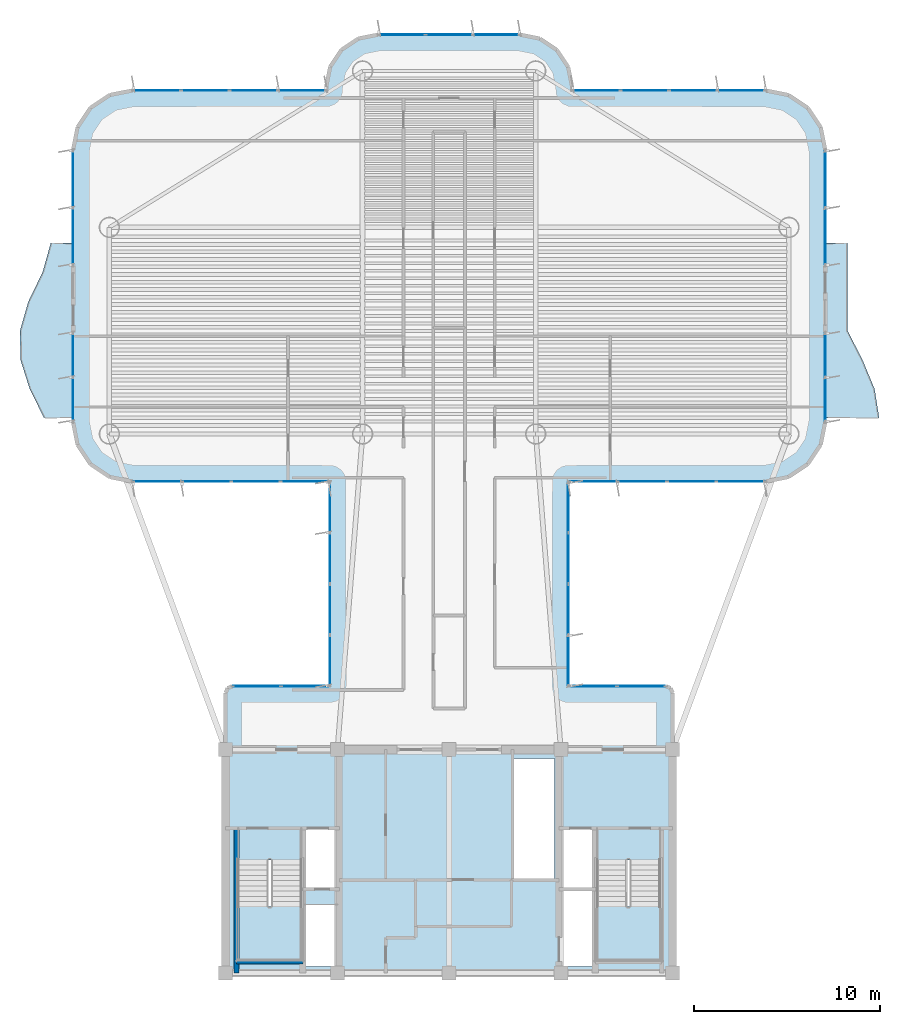
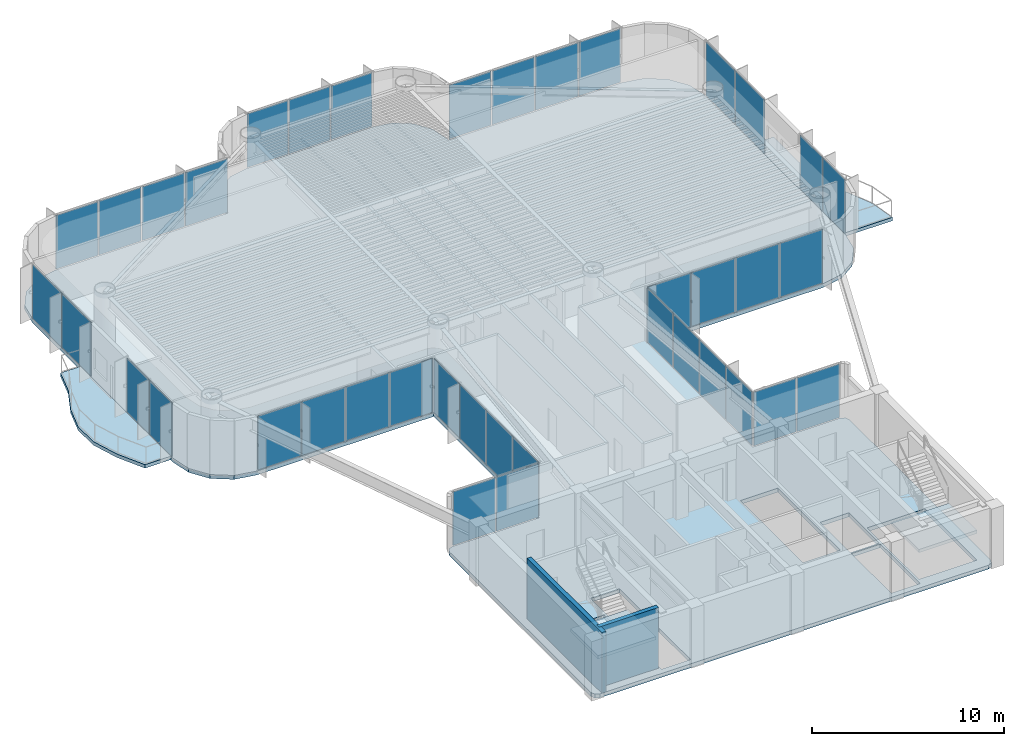
# One storey, part 8 of 14: 39 plates, 5 slabs, 2 walls, 15 elements without a shape of their own.
"""IFC4 building model written with IfcOpenShell, lengths in metres."""

from ifc_helpers import new_model, si_unit, direction, frame, frame_2d, origin, origin_2d, place, context, subcontext, project, spatial, polyline, rectangle, outline, extrude, source, transform, mapped, material, layer, layer_set, type_object, element, aggregate, save


model = new_model("IFC4")

# Units and contexts
model_context = context("Model", 3, precision=1e-05, world=origin(), true_north=direction((0.0, 1.0)))
body_context = subcontext(model_context, "Body", "Model", "MODEL_VIEW")
ifc_project = project(units=[si_unit("LENGTHUNIT", "METRE"), si_unit("AREAUNIT", "SQUARE_METRE"), si_unit("VOLUMEUNIT", "CUBIC_METRE"), si_unit("PLANEANGLEUNIT", "RADIAN"), si_unit("MASSUNIT", "GRAM", prefix="KILO")], contexts=[model_context])

# Site, building, storey
site_placement = place(None, origin())
site = spatial("IfcSite", under=ifc_project, at=site_placement, CompositionType="ELEMENT")
building_placement = place(site_placement, origin())
building = spatial("IfcBuilding", under=site, at=building_placement, Name="Brelvock Crest Care Tower", CompositionType="ELEMENT")
storey_placement = place(building_placement, frame((0.0, 0.0, 175.320068359375)))
storey = spatial("IfcBuildingStorey", under=building, at=storey_placement, Name="L44", CompositionType="ELEMENT", Elevation=175.320068359375)

# Slabs
ifc_material_1 = material(Name="Concrete N50 (50 MPa)", Category="concrete")
ifc_layer_1 = layer(ifc_material_1, 0.25, Name="SLB-FL3")
ifc_layer_set_1 = layer_set([ifc_layer_1], Name="Concrete N50 (50 MPa)")
slab_type_1 = type_object("IfcSlabType", Name="SLB-FL3", PredefinedType="FLOOR", material=ifc_layer_set_1)
slab_1_placement = place(storey_placement, frame((0.0, 0.0, -0.25)))
element("IfcSlab", 1, at=slab_1_placement, inside=storey, type_object=slab_type_1, Name="L44 Main Structural Slab", PredefinedType="FLOOR", context=body_context, shape_type="SweptSolid", body=[
    extrude(outline(polyline([(47.64990234375, 21.39990234375), (42.39990234375, 21.39990234375), (42.39990234375, 32.39990234375), (53.0, 32.39990234375), (54.224609375, 32.6435546875), (55.2626953125, 33.33740234375), (55.956298828125, 34.37548828125), (56.199951171875, 35.60009765625), (56.199951171875, 50.199951171875), (55.956298828125, 51.424560546875), (55.2626953125, 52.462646484375), (54.224609375, 53.156494140625), (53.0, 53.39990234375), (42.60009765625, 53.39990234375), (42.60009765625, 53.60009765625), (42.386962890625, 54.67138671875), (41.77978515625, 55.579833984375), (40.87158203125, 56.18701171875), (39.800048828125, 56.39990234375), (32.199951171875, 56.39990234375), (31.12841796875, 56.18701171875), (30.22021484375, 55.579833984375), (29.613037109375, 54.67138671875), (29.39990234375, 53.60009765625), (29.39990234375, 53.39990234375), (19.0, 53.39990234375), (17.775390625, 53.156494140625), (16.7373046875, 52.462646484375), (16.043701171875, 51.424560546875), (15.800048828125, 50.199951171875), (15.800048828125, 35.60009765625), (16.043701171875, 34.37548828125), (16.7373046875, 33.33740234375), (17.775390625, 32.6435546875), (19.0, 32.39990234375), (29.60009765625, 32.39990234375), (29.60009765625, 21.39990234375), (24.35009765625, 21.39990234375), (24.1025390625, 21.297607421875), (24.0, 21.050048828125), (24.0, 6.35009765625), (24.1025390625, 6.1025390625), (24.35009765625, 6.0), (47.64990234375, 6.0), (47.8974609375, 6.1025390625), (48.0, 6.35009765625), (48.0, 21.050048828125), (47.8974609375, 21.297607421875), (47.64990234375, 21.39990234375)]), holes=[polyline([(28.239990234375, 10.580078125), (29.97998046875, 10.580078125), (29.97998046875, 13.739990234375), (28.239990234375, 13.739990234375), (28.239990234375, 10.580078125)]), polyline([(42.02001953125, 10.580078125), (43.760009765625, 10.580078125), (43.760009765625, 13.739990234375), (42.02001953125, 13.739990234375), (42.02001953125, 10.580078125)]), polyline([(28.239990234375, 6.340087890625), (29.97998046875, 6.340087890625), (29.97998046875, 9.64990234375), (28.239990234375, 9.64990234375), (28.239990234375, 6.340087890625)]), polyline([(24.6298828125, 12.080078125), (24.6298828125, 6.699951171875), (28.110107421875, 6.699951171875), (28.110107421875, 12.080078125), (24.6298828125, 12.080078125)]), polyline([(43.889892578125, 12.080078125), (43.889892578125, 6.699951171875), (47.3701171875, 6.699951171875), (47.3701171875, 12.080078125), (43.889892578125, 12.080078125)]), polyline([(42.02001953125, 6.340087890625), (43.760009765625, 6.340087890625), (43.760009765625, 10.5), (42.02001953125, 10.5), (42.02001953125, 6.340087890625)]), polyline([(39.429931640625, 11.030029296875), (41.669921875, 11.030029296875), (41.669921875, 17.52001953125), (39.429931640625, 17.52001953125), (39.429931640625, 11.030029296875)])]), origin(), (0.0, 0.0, 1.0), 0.25),
])
ifc_layer_2 = layer(ifc_material_1, 0.219970703125, Name="SLB-WB1")
ifc_layer_set_2 = layer_set([ifc_layer_2], Name="Concrete N50 (50 MPa)")
slab_type_2 = type_object("IfcSlabType", Name="SLB-WB1", PredefinedType="FLOOR", material=ifc_layer_set_2)
slab_2_placement = place(storey_placement, frame((0.0, 0.0, -0.219970703125)))
element("IfcSlab", 2, at=slab_2_placement, inside=storey, type_object=slab_type_2, Name="L44 W Sinusoidal Wave Balcony Slab", PredefinedType="FLOOR", context=body_context, shape_type="SweptSolid", body=[
    extrude(outline(polyline([(15.800048828125, 45.199951171875), (14.60009765625, 45.199951171875), (14.16162109375, 43.63330078125), (13.400390625, 42.066650390625), (12.95068359375, 40.5), (12.977294921875, 38.933349609375), (13.470947265625, 37.36669921875), (14.25, 35.800048828125), (15.800048828125, 35.800048828125), (15.800048828125, 45.199951171875)])), origin(), (0.0, 0.0, 1.0), 0.219970703125),
])
slab_3_placement = place(storey_placement, frame((0.0, 0.0, -0.219970703125)))
element("IfcSlab", 3, at=slab_3_placement, inside=storey, type_object=slab_type_2, Name="L44 E Sinusoidal Wave Balcony Slab", PredefinedType="FLOOR", context=body_context, shape_type="SweptSolid", body=[
    extrude(outline(polyline([(56.199951171875, 35.800048828125), (59.10009765625, 35.800048828125), (58.8525390625, 37.36669921875), (58.20068359375, 38.933349609375), (57.39990234375, 40.5), (57.39990234375, 42.066650390625), (57.39990234375, 43.63330078125), (57.39990234375, 45.199951171875), (56.199951171875, 45.199951171875), (56.199951171875, 35.800048828125)])), origin(), (0.0, 0.0, 1.0), 0.219970703125),
])

# Stair, slab
ifc_material_2 = material(Name="Concrete N40 (40 MPa)", Category="concrete")
stair_type = type_object("IfcStairType", Name="ST-CORE1", PredefinedType="HALF_TURN_STAIR", material=ifc_material_2)
stair_1_placement = place(storey_placement, origin())
stair_1 = element("IfcStair", 4, at=stair_1_placement, inside=storey, type_object=stair_type, Name="L44 Fire-Isolated Core Stair ST-1", PredefinedType="HALF_TURN_STAIR")
ifc_layer_3 = layer(ifc_material_2, 0.199951171875, Name="STL-1")
ifc_layer_set_3 = layer_set([ifc_layer_3], Name="Concrete N40 (40 MPa)")
slab_type_3 = type_object("IfcSlabType", Name="STL-1", PredefinedType="LANDING", material=ifc_layer_set_3)
slab_4_placement = place(storey_placement, frame((0.0, 0.0, 1.68994140625)))
slab_4 = element("IfcSlab", 5, at=slab_4_placement, type_object=slab_type_3, Name="ST-1 landing 1", PredefinedType="LANDING", context=body_context, shape_type="SweptSolid", body=[
    extrude(outline(polyline([(24.6298828125, 9.56005859375), (24.6298828125, 6.699951171875), (28.110107421875, 6.699951171875), (28.110107421875, 9.56005859375), (24.6298828125, 9.56005859375)])), origin(), (0.0, 0.0, 1.0), 0.199951171875),
])
aggregate(stair_1, [slab_4])

stair_2_placement = place(storey_placement, origin())
stair_2 = element("IfcStair", 6, at=stair_2_placement, inside=storey, type_object=stair_type, Name="L44 Fire-Isolated Core Stair ST-2", PredefinedType="HALF_TURN_STAIR")
slab_5_placement = place(storey_placement, frame((0.0, 0.0, 1.68994140625)))
slab_5 = element("IfcSlab", 7, at=slab_5_placement, type_object=slab_type_3, Name="ST-2 landing 1", PredefinedType="LANDING", context=body_context, shape_type="SweptSolid", body=[
    extrude(outline(polyline([(43.889892578125, 9.56005859375), (43.889892578125, 6.699951171875), (47.3701171875, 6.699951171875), (47.3701171875, 9.56005859375), (43.889892578125, 9.56005859375)])), origin(), (0.0, 0.0, 1.0), 0.199951171875),
])
aggregate(stair_2, [slab_5])

# Curtain wall, plates
ifc_material_3 = material(Name="Dark Glass Double Glazed Low-E", Category="glass")
ifc_layer_4 = layer(ifc_material_3, 0.22509765625, Name="CWS-4")
ifc_layer_set_4 = layer_set([ifc_layer_4], Name="Dark Glass Double Glazed Low-E")
curtain_wall_type = type_object("IfcCurtainWallType", Name="CWS-4", PredefinedType="NOTDEFINED", material=ifc_layer_set_4)
curtain_wall_1_placement = place(storey_placement, origin())
curtain_wall_1 = element("IfcCurtainWall", 8, at=curtain_wall_1_placement, inside=storey, type_object=curtain_wall_type, Name="L44 Curtain Wall E10", PredefinedType="NOTDEFINED")
ifc_layer_5 = layer(ifc_material_3, 0.0380859375, Name="CWP-V2")
ifc_layer_set_5 = layer_set([ifc_layer_5], Name="Dark Glass Double Glazed Low-E")
plate_type = type_object("IfcPlateType", Name="CWP-V2", PredefinedType="CURTAIN_PANEL", material=ifc_layer_set_5)
shared_shape_1 = source(origin(), body_context, "Body", "SweptSolid", [
    extrude(rectangle(XDim=2.534912109375, YDim=0.035888671875, at=origin_2d()), origin(), (0.0, 0.0, 1.0), 3.409912109375),
])
plate_1_placement = place(storey_placement, frame((25.677490234375, 21.39990234375, 0.06005859375), z_axis=(0.0, 0.0, 1.0), x_axis=(1.0, 0.0, 0.0)))
plate_1 = element("IfcPlate", 9, at=plate_1_placement, type_object=plate_type, Name="CW-4 panel 1.1", PredefinedType="CURTAIN_PANEL", context=body_context, shape_type="MappedRepresentation", body=[
    mapped(shared_shape_1, transform((0.0, 0.0, 0.0), x_axis=(1.0, 0.0, 0.0), y_axis=(0.0, 1.0, 0.0), z_axis=(0.0, 0.0, 1.0), scale=1.0)),
])
plate_2_placement = place(storey_placement, frame((28.2724609375, 21.39990234375, 0.06005859375), z_axis=(0.0, 0.0, 1.0), x_axis=(1.0, 0.0, 0.0)))
plate_2 = element("IfcPlate", 10, at=plate_2_placement, type_object=plate_type, Name="CW-4 panel 2.1", PredefinedType="CURTAIN_PANEL", context=body_context, shape_type="MappedRepresentation", body=[
    mapped(shared_shape_1, transform((0.0, 0.0, 0.0), x_axis=(1.0, 0.0, 0.0), y_axis=(0.0, 1.0, 0.0), z_axis=(0.0, 0.0, 1.0), scale=1.0)),
])
aggregate(curtain_wall_1, [plate_1, plate_2])

curtain_wall_2_placement = place(storey_placement, origin())
curtain_wall_2 = element("IfcCurtainWall", 11, at=curtain_wall_2_placement, inside=storey, type_object=curtain_wall_type, Name="L44 Curtain Wall E46", PredefinedType="NOTDEFINED")
plate_3_placement = place(storey_placement, frame((43.7275390625, 21.39990234375, 0.06005859375), z_axis=(0.0, 0.0, 1.0), x_axis=(1.0, 0.0, 0.0)))
plate_3 = element("IfcPlate", 12, at=plate_3_placement, type_object=plate_type, Name="CW-4 panel 1.1", PredefinedType="CURTAIN_PANEL", context=body_context, shape_type="MappedRepresentation", body=[
    mapped(shared_shape_1, transform((0.0, 0.0, 0.0), x_axis=(1.0, 0.0, 0.0), y_axis=(0.0, 1.0, 0.0), z_axis=(0.0, 0.0, 1.0), scale=1.0)),
])
plate_4_placement = place(storey_placement, frame((46.322509765625, 21.39990234375, 0.06005859375), z_axis=(0.0, 0.0, 1.0), x_axis=(1.0, 0.0, 0.0)))
plate_4 = element("IfcPlate", 13, at=plate_4_placement, type_object=plate_type, Name="CW-4 panel 2.1", PredefinedType="CURTAIN_PANEL", context=body_context, shape_type="MappedRepresentation", body=[
    mapped(shared_shape_1, transform((0.0, 0.0, 0.0), x_axis=(1.0, 0.0, 0.0), y_axis=(0.0, 1.0, 0.0), z_axis=(0.0, 0.0, 1.0), scale=1.0)),
])
aggregate(curtain_wall_2, [plate_3, plate_4])

curtain_wall_3_placement = place(storey_placement, origin())
curtain_wall_3 = element("IfcCurtainWall", 14, at=curtain_wall_3_placement, inside=storey, type_object=curtain_wall_type, Name="L44 Curtain Wall E11", PredefinedType="NOTDEFINED")
shared_shape_2 = source(origin(), body_context, "Body", "SweptSolid", [
    extrude(rectangle(XDim=2.659912109375, YDim=0.035888671875, at=origin_2d()), origin(), (0.0, 0.0, 1.0), 3.409912109375),
])
plate_5_placement = place(storey_placement, frame((29.60009765625, 22.7900390625, 0.06005859375), z_axis=(0.0, 0.0, 1.0), x_axis=(0.0, 1.0, 0.0)))
plate_5 = element("IfcPlate", 15, at=plate_5_placement, type_object=plate_type, Name="CW-4 panel 1.1", PredefinedType="CURTAIN_PANEL", context=body_context, shape_type="MappedRepresentation", body=[
    mapped(shared_shape_2, transform((0.0, 0.0, 0.0), x_axis=(1.0, 0.0, 0.0), y_axis=(0.0, 1.0, 0.0), z_axis=(0.0, 0.0, 1.0), scale=1.0)),
])
plate_6_placement = place(storey_placement, frame((29.60009765625, 31.010009765625, 0.06005859375), z_axis=(0.0, 0.0, 1.0), x_axis=(0.0, 1.0, 0.0)))
plate_6 = element("IfcPlate", 16, at=plate_6_placement, type_object=plate_type, Name="CW-4 panel 4.1", PredefinedType="CURTAIN_PANEL", context=body_context, shape_type="MappedRepresentation", body=[
    mapped(shared_shape_2, transform((0.0, 0.0, 0.0), x_axis=(1.0, 0.0, 0.0), y_axis=(0.0, 1.0, 0.0), z_axis=(0.0, 0.0, 1.0), scale=1.0)),
])

curtain_wall_4_placement = place(storey_placement, origin())
curtain_wall_4 = element("IfcCurtainWall", 17, at=curtain_wall_4_placement, inside=storey, type_object=curtain_wall_type, Name="L44 Curtain Wall E45", PredefinedType="NOTDEFINED")
plate_7_placement = place(storey_placement, frame((42.39990234375, 31.010009765625, 0.06005859375), z_axis=(0.0, 0.0, 1.0), x_axis=(0.0, -1.0, 0.0)))
plate_7 = element("IfcPlate", 18, at=plate_7_placement, type_object=plate_type, Name="CW-4 panel 1.1", PredefinedType="CURTAIN_PANEL", context=body_context, shape_type="MappedRepresentation", body=[
    mapped(shared_shape_2, transform((0.0, 0.0, 0.0), x_axis=(1.0, 0.0, 0.0), y_axis=(0.0, 1.0, 0.0), z_axis=(0.0, 0.0, 1.0), scale=1.0)),
])
plate_8_placement = place(storey_placement, frame((42.39990234375, 22.7900390625, 0.06005859375), z_axis=(0.0, 0.0, 1.0), x_axis=(0.0, -1.0, 0.0)))
plate_8 = element("IfcPlate", 19, at=plate_8_placement, type_object=plate_type, Name="CW-4 panel 4.1", PredefinedType="CURTAIN_PANEL", context=body_context, shape_type="MappedRepresentation", body=[
    mapped(shared_shape_2, transform((0.0, 0.0, 0.0), x_axis=(1.0, 0.0, 0.0), y_axis=(0.0, 1.0, 0.0), z_axis=(0.0, 0.0, 1.0), scale=1.0)),
])

# Plate
shared_shape_3 = source(origin(), body_context, "Body", "SweptSolid", [
    extrude(rectangle(XDim=2.68994140625, YDim=0.035888671875, at=origin_2d()), origin(), (0.0, 0.0, 1.0), 3.409912109375),
])
plate_9_placement = place(storey_placement, frame((29.60009765625, 25.52490234375, 0.06005859375), z_axis=(0.0, 0.0, 1.0), x_axis=(0.0, 1.0, 0.0)))
plate_9 = element("IfcPlate", 20, at=plate_9_placement, type_object=plate_type, Name="CW-4 panel 2.1", PredefinedType="CURTAIN_PANEL", context=body_context, shape_type="MappedRepresentation", body=[
    mapped(shared_shape_3, transform((0.0, 0.0, 0.0), x_axis=(1.0, 0.0, 0.0), y_axis=(0.0, 1.0, 0.0), z_axis=(0.0, 0.0, 1.0), scale=1.0)),
])

plate_10_placement = place(storey_placement, frame((29.60009765625, 28.27490234375, 0.06005859375), z_axis=(0.0, 0.0, 1.0), x_axis=(0.0, 1.0, 0.0)))
plate_10 = element("IfcPlate", 21, at=plate_10_placement, type_object=plate_type, Name="CW-4 panel 3.1", PredefinedType="CURTAIN_PANEL", context=body_context, shape_type="MappedRepresentation", body=[
    mapped(shared_shape_3, transform((0.0, 0.0, 0.0), x_axis=(1.0, 0.0, 0.0), y_axis=(0.0, 1.0, 0.0), z_axis=(0.0, 0.0, 1.0), scale=1.0)),
])

aggregate(curtain_wall_3, [plate_5, plate_9, plate_10, plate_6])

plate_11_placement = place(storey_placement, frame((42.39990234375, 28.27490234375, 0.06005859375), z_axis=(0.0, 0.0, 1.0), x_axis=(0.0, -1.0, 0.0)))
plate_11 = element("IfcPlate", 22, at=plate_11_placement, type_object=plate_type, Name="CW-4 panel 2.1", PredefinedType="CURTAIN_PANEL", context=body_context, shape_type="MappedRepresentation", body=[
    mapped(shared_shape_3, transform((0.0, 0.0, 0.0), x_axis=(1.0, 0.0, 0.0), y_axis=(0.0, 1.0, 0.0), z_axis=(0.0, 0.0, 1.0), scale=1.0)),
])

plate_12_placement = place(storey_placement, frame((42.39990234375, 25.52490234375, 0.06005859375), z_axis=(0.0, 0.0, 1.0), x_axis=(0.0, -1.0, 0.0)))
plate_12 = element("IfcPlate", 23, at=plate_12_placement, type_object=plate_type, Name="CW-4 panel 3.1", PredefinedType="CURTAIN_PANEL", context=body_context, shape_type="MappedRepresentation", body=[
    mapped(shared_shape_3, transform((0.0, 0.0, 0.0), x_axis=(1.0, 0.0, 0.0), y_axis=(0.0, 1.0, 0.0), z_axis=(0.0, 0.0, 1.0), scale=1.0)),
])

aggregate(curtain_wall_4, [plate_7, plate_11, plate_12, plate_8])

# Curtain wall, plates
curtain_wall_5_placement = place(storey_placement, origin())
curtain_wall_5 = element("IfcCurtainWall", 24, at=curtain_wall_5_placement, inside=storey, type_object=curtain_wall_type, Name="L44 Curtain Wall E12", PredefinedType="NOTDEFINED")
shared_shape_4 = source(origin(), body_context, "Body", "SweptSolid", [
    extrude(rectangle(XDim=2.56005859375, YDim=0.035888671875, at=origin_2d()), origin(), (0.0, 0.0, 1.0), 3.409912109375),
])
plate_13_placement = place(storey_placement, frame((28.260009765625, 32.39990234375, 0.06005859375), z_axis=(0.0, 0.0, 1.0), x_axis=(-1.0, 0.0, 0.0)))
plate_13 = element("IfcPlate", 25, at=plate_13_placement, type_object=plate_type, Name="CW-4 panel 1.1", PredefinedType="CURTAIN_PANEL", context=body_context, shape_type="MappedRepresentation", body=[
    mapped(shared_shape_4, transform((0.0, 0.0, 0.0), x_axis=(1.0, 0.0, 0.0), y_axis=(0.0, 1.0, 0.0), z_axis=(0.0, 0.0, 1.0), scale=1.0)),
])
plate_14_placement = place(storey_placement, frame((20.340087890625, 32.39990234375, 0.06005859375), z_axis=(0.0, 0.0, 1.0), x_axis=(-1.0, 0.0, 0.0)))
plate_14 = element("IfcPlate", 26, at=plate_14_placement, type_object=plate_type, Name="CW-4 panel 4.1", PredefinedType="CURTAIN_PANEL", context=body_context, shape_type="MappedRepresentation", body=[
    mapped(shared_shape_4, transform((0.0, 0.0, 0.0), x_axis=(1.0, 0.0, 0.0), y_axis=(0.0, 1.0, 0.0), z_axis=(0.0, 0.0, 1.0), scale=1.0)),
])

curtain_wall_6_placement = place(storey_placement, origin())
curtain_wall_6 = element("IfcCurtainWall", 27, at=curtain_wall_6_placement, inside=storey, type_object=curtain_wall_type, Name="L44 Curtain Wall E44", PredefinedType="NOTDEFINED")
plate_15_placement = place(storey_placement, frame((51.659912109375, 32.39990234375, 0.06005859375), z_axis=(0.0, 0.0, 1.0), x_axis=(-1.0, 0.0, 0.0)))
plate_15 = element("IfcPlate", 28, at=plate_15_placement, type_object=plate_type, Name="CW-4 panel 1.1", PredefinedType="CURTAIN_PANEL", context=body_context, shape_type="MappedRepresentation", body=[
    mapped(shared_shape_4, transform((0.0, 0.0, 0.0), x_axis=(1.0, 0.0, 0.0), y_axis=(0.0, 1.0, 0.0), z_axis=(0.0, 0.0, 1.0), scale=1.0)),
])
plate_16_placement = place(storey_placement, frame((43.739990234375, 32.39990234375, 0.06005859375), z_axis=(0.0, 0.0, 1.0), x_axis=(-1.0, 0.0, 0.0)))
plate_16 = element("IfcPlate", 29, at=plate_16_placement, type_object=plate_type, Name="CW-4 panel 4.1", PredefinedType="CURTAIN_PANEL", context=body_context, shape_type="MappedRepresentation", body=[
    mapped(shared_shape_4, transform((0.0, 0.0, 0.0), x_axis=(1.0, 0.0, 0.0), y_axis=(0.0, 1.0, 0.0), z_axis=(0.0, 0.0, 1.0), scale=1.0)),
])

# Plate
shared_shape_5 = source(origin(), body_context, "Body", "SweptSolid", [
    extrude(rectangle(XDim=2.590087890625, YDim=0.035888671875, at=origin_2d()), origin(), (0.0, 0.0, 1.0), 3.409912109375),
])
plate_17_placement = place(storey_placement, frame((25.625, 32.39990234375, 0.06005859375), z_axis=(0.0, 0.0, 1.0), x_axis=(-1.0, 0.0, 0.0)))
plate_17 = element("IfcPlate", 30, at=plate_17_placement, type_object=plate_type, Name="CW-4 panel 2.1", PredefinedType="CURTAIN_PANEL", context=body_context, shape_type="MappedRepresentation", body=[
    mapped(shared_shape_5, transform((0.0, 0.0, 0.0), x_axis=(1.0, 0.0, 0.0), y_axis=(0.0, 1.0, 0.0), z_axis=(0.0, 0.0, 1.0), scale=1.0)),
])

plate_18_placement = place(storey_placement, frame((22.97509765625, 32.39990234375, 0.06005859375), z_axis=(0.0, 0.0, 1.0), x_axis=(-1.0, 0.0, 0.0)))
plate_18 = element("IfcPlate", 31, at=plate_18_placement, type_object=plate_type, Name="CW-4 panel 3.1", PredefinedType="CURTAIN_PANEL", context=body_context, shape_type="MappedRepresentation", body=[
    mapped(shared_shape_5, transform((0.0, 0.0, 0.0), x_axis=(1.0, 0.0, 0.0), y_axis=(0.0, 1.0, 0.0), z_axis=(0.0, 0.0, 1.0), scale=1.0)),
])

aggregate(curtain_wall_5, [plate_13, plate_17, plate_18, plate_14])

plate_19_placement = place(storey_placement, frame((49.02490234375, 32.39990234375, 0.06005859375), z_axis=(0.0, 0.0, 1.0), x_axis=(-1.0, 0.0, 0.0)))
plate_19 = element("IfcPlate", 32, at=plate_19_placement, type_object=plate_type, Name="CW-4 panel 2.1", PredefinedType="CURTAIN_PANEL", context=body_context, shape_type="MappedRepresentation", body=[
    mapped(shared_shape_5, transform((0.0, 0.0, 0.0), x_axis=(1.0, 0.0, 0.0), y_axis=(0.0, 1.0, 0.0), z_axis=(0.0, 0.0, 1.0), scale=1.0)),
])

plate_20_placement = place(storey_placement, frame((46.375, 32.39990234375, 0.06005859375), z_axis=(0.0, 0.0, 1.0), x_axis=(-1.0, 0.0, 0.0)))
plate_20 = element("IfcPlate", 33, at=plate_20_placement, type_object=plate_type, Name="CW-4 panel 3.1", PredefinedType="CURTAIN_PANEL", context=body_context, shape_type="MappedRepresentation", body=[
    mapped(shared_shape_5, transform((0.0, 0.0, 0.0), x_axis=(1.0, 0.0, 0.0), y_axis=(0.0, 1.0, 0.0), z_axis=(0.0, 0.0, 1.0), scale=1.0)),
])

aggregate(curtain_wall_6, [plate_15, plate_19, plate_20, plate_16])

# Curtain wall, plates
curtain_wall_7_placement = place(storey_placement, origin())
curtain_wall_7 = element("IfcCurtainWall", 34, at=curtain_wall_7_placement, inside=storey, type_object=curtain_wall_type, Name="L44 Curtain Wall E22", PredefinedType="NOTDEFINED")
shared_shape_6 = source(origin(), body_context, "Body", "SweptSolid", [
    extrude(rectangle(XDim=2.510009765625, YDim=0.035888671875, at=origin_2d()), origin(), (0.0, 0.0, 1.0), 3.409912109375),
])
plate_21_placement = place(storey_placement, frame((20.31494140625, 53.39990234375, 0.06005859375), z_axis=(0.0, 0.0, 1.0), x_axis=(1.0, 0.0, 0.0)))
plate_21 = element("IfcPlate", 35, at=plate_21_placement, type_object=plate_type, Name="CW-4 panel 1.1", PredefinedType="CURTAIN_PANEL", context=body_context, shape_type="MappedRepresentation", body=[
    mapped(shared_shape_6, transform((0.0, 0.0, 0.0), x_axis=(1.0, 0.0, 0.0), y_axis=(0.0, 1.0, 0.0), z_axis=(0.0, 0.0, 1.0), scale=1.0)),
])
plate_22_placement = place(storey_placement, frame((28.0849609375, 53.39990234375, 0.06005859375), z_axis=(0.0, 0.0, 1.0), x_axis=(1.0, 0.0, 0.0)))
plate_22 = element("IfcPlate", 36, at=plate_22_placement, type_object=plate_type, Name="CW-4 panel 4.1", PredefinedType="CURTAIN_PANEL", context=body_context, shape_type="MappedRepresentation", body=[
    mapped(shared_shape_6, transform((0.0, 0.0, 0.0), x_axis=(1.0, 0.0, 0.0), y_axis=(0.0, 1.0, 0.0), z_axis=(0.0, 0.0, 1.0), scale=1.0)),
])

curtain_wall_8_placement = place(storey_placement, origin())
curtain_wall_8 = element("IfcCurtainWall", 37, at=curtain_wall_8_placement, inside=storey, type_object=curtain_wall_type, Name="L44 Curtain Wall E34", PredefinedType="NOTDEFINED")
plate_23_placement = place(storey_placement, frame((43.9150390625, 53.39990234375, 0.06005859375), z_axis=(0.0, 0.0, 1.0), x_axis=(1.0, 0.0, 0.0)))
plate_23 = element("IfcPlate", 38, at=plate_23_placement, type_object=plate_type, Name="CW-4 panel 1.1", PredefinedType="CURTAIN_PANEL", context=body_context, shape_type="MappedRepresentation", body=[
    mapped(shared_shape_6, transform((0.0, 0.0, 0.0), x_axis=(1.0, 0.0, 0.0), y_axis=(0.0, 1.0, 0.0), z_axis=(0.0, 0.0, 1.0), scale=1.0)),
])
plate_24_placement = place(storey_placement, frame((51.68505859375, 53.39990234375, 0.06005859375), z_axis=(0.0, 0.0, 1.0), x_axis=(1.0, 0.0, 0.0)))
plate_24 = element("IfcPlate", 39, at=plate_24_placement, type_object=plate_type, Name="CW-4 panel 4.1", PredefinedType="CURTAIN_PANEL", context=body_context, shape_type="MappedRepresentation", body=[
    mapped(shared_shape_6, transform((0.0, 0.0, 0.0), x_axis=(1.0, 0.0, 0.0), y_axis=(0.0, 1.0, 0.0), z_axis=(0.0, 0.0, 1.0), scale=1.0)),
])

# Plate
shared_shape_7 = source(origin(), body_context, "Body", "SweptSolid", [
    extrude(rectangle(XDim=2.5400390625, YDim=0.035888671875, at=origin_2d()), origin(), (0.0, 0.0, 1.0), 3.409912109375),
])
plate_25_placement = place(storey_placement, frame((22.89990234375, 53.39990234375, 0.06005859375), z_axis=(0.0, 0.0, 1.0), x_axis=(1.0, 0.0, 0.0)))
plate_25 = element("IfcPlate", 40, at=plate_25_placement, type_object=plate_type, Name="CW-4 panel 2.1", PredefinedType="CURTAIN_PANEL", context=body_context, shape_type="MappedRepresentation", body=[
    mapped(shared_shape_7, transform((0.0, 0.0, 0.0), x_axis=(1.0, 0.0, 0.0), y_axis=(0.0, 1.0, 0.0), z_axis=(0.0, 0.0, 1.0), scale=1.0)),
])

plate_26_placement = place(storey_placement, frame((25.5, 53.39990234375, 0.06005859375), z_axis=(0.0, 0.0, 1.0), x_axis=(1.0, 0.0, 0.0)))
plate_26 = element("IfcPlate", 41, at=plate_26_placement, type_object=plate_type, Name="CW-4 panel 3.1", PredefinedType="CURTAIN_PANEL", context=body_context, shape_type="MappedRepresentation", body=[
    mapped(shared_shape_7, transform((0.0, 0.0, 0.0), x_axis=(1.0, 0.0, 0.0), y_axis=(0.0, 1.0, 0.0), z_axis=(0.0, 0.0, 1.0), scale=1.0)),
])

aggregate(curtain_wall_7, [plate_21, plate_25, plate_26, plate_22])

plate_27_placement = place(storey_placement, frame((46.5, 53.39990234375, 0.06005859375), z_axis=(0.0, 0.0, 1.0), x_axis=(1.0, 0.0, 0.0)))
plate_27 = element("IfcPlate", 42, at=plate_27_placement, type_object=plate_type, Name="CW-4 panel 2.1", PredefinedType="CURTAIN_PANEL", context=body_context, shape_type="MappedRepresentation", body=[
    mapped(shared_shape_7, transform((0.0, 0.0, 0.0), x_axis=(1.0, 0.0, 0.0), y_axis=(0.0, 1.0, 0.0), z_axis=(0.0, 0.0, 1.0), scale=1.0)),
])

plate_28_placement = place(storey_placement, frame((49.10009765625, 53.39990234375, 0.06005859375), z_axis=(0.0, 0.0, 1.0), x_axis=(1.0, 0.0, 0.0)))
plate_28 = element("IfcPlate", 43, at=plate_28_placement, type_object=plate_type, Name="CW-4 panel 3.1", PredefinedType="CURTAIN_PANEL", context=body_context, shape_type="MappedRepresentation", body=[
    mapped(shared_shape_7, transform((0.0, 0.0, 0.0), x_axis=(1.0, 0.0, 0.0), y_axis=(0.0, 1.0, 0.0), z_axis=(0.0, 0.0, 1.0), scale=1.0)),
])

aggregate(curtain_wall_8, [plate_23, plate_27, plate_28, plate_24])

# Curtain wall, plates
curtain_wall_9_placement = place(storey_placement, origin())
curtain_wall_9 = element("IfcCurtainWall", 44, at=curtain_wall_9_placement, inside=storey, type_object=curtain_wall_type, Name="L44 Curtain Wall E28", PredefinedType="NOTDEFINED")
shared_shape_8 = source(origin(), body_context, "Body", "SweptSolid", [
    extrude(rectangle(XDim=2.443359375, YDim=0.035888671875, at=origin_2d()), origin(), (0.0, 0.0, 1.0), 3.409912109375),
])
plate_29_placement = place(storey_placement, frame((33.481689453125, 56.39990234375, 0.06005859375), z_axis=(0.0, 0.0, 1.0), x_axis=(1.0, 0.0, 0.0)))
plate_29 = element("IfcPlate", 45, at=plate_29_placement, type_object=plate_type, Name="CW-4 panel 1.1", PredefinedType="CURTAIN_PANEL", context=body_context, shape_type="MappedRepresentation", body=[
    mapped(shared_shape_8, transform((0.0, 0.0, 0.0), x_axis=(1.0, 0.0, 0.0), y_axis=(0.0, 1.0, 0.0), z_axis=(0.0, 0.0, 1.0), scale=1.0)),
])
plate_30_placement = place(storey_placement, frame((38.518310546875, 56.39990234375, 0.06005859375), z_axis=(0.0, 0.0, 1.0), x_axis=(1.0, 0.0, 0.0)))
plate_30 = element("IfcPlate", 46, at=plate_30_placement, type_object=plate_type, Name="CW-4 panel 3.1", PredefinedType="CURTAIN_PANEL", context=body_context, shape_type="MappedRepresentation", body=[
    mapped(shared_shape_8, transform((0.0, 0.0, 0.0), x_axis=(1.0, 0.0, 0.0), y_axis=(0.0, 1.0, 0.0), z_axis=(0.0, 0.0, 1.0), scale=1.0)),
])
shared_shape_9 = source(origin(), body_context, "Body", "SweptSolid", [
    extrude(rectangle(XDim=2.473388671875, YDim=0.035888671875, at=origin_2d()), origin(), (0.0, 0.0, 1.0), 3.409912109375),
])
plate_31_placement = place(storey_placement, frame((36.0, 56.39990234375, 0.06005859375), z_axis=(0.0, 0.0, 1.0), x_axis=(1.0, 0.0, 0.0)))
plate_31 = element("IfcPlate", 47, at=plate_31_placement, type_object=plate_type, Name="CW-4 panel 2.1", PredefinedType="CURTAIN_PANEL", context=body_context, shape_type="MappedRepresentation", body=[
    mapped(shared_shape_9, transform((0.0, 0.0, 0.0), x_axis=(1.0, 0.0, 0.0), y_axis=(0.0, 1.0, 0.0), z_axis=(0.0, 0.0, 1.0), scale=1.0)),
])
aggregate(curtain_wall_9, [plate_29, plate_31, plate_30])

curtain_wall_10_placement = place(storey_placement, origin())
curtain_wall_10 = element("IfcCurtainWall", 48, at=curtain_wall_10_placement, inside=storey, type_object=curtain_wall_type, Name="L44 Curtain Wall E17A", PredefinedType="NOTDEFINED")
shared_shape_10 = source(origin(), body_context, "Body", "SweptSolid", [
    extrude(rectangle(XDim=2.31005859375, YDim=0.035888671875, at=origin_2d()), origin(), (0.0, 0.0, 1.0), 3.409912109375),
])
plate_32_placement = place(storey_placement, frame((15.800048828125, 36.81494140625, 0.06005859375), z_axis=(0.0, 0.0, 1.0), x_axis=(0.0, 1.0, 0.0)))
plate_32 = element("IfcPlate", 49, at=plate_32_placement, type_object=plate_type, Name="CW-4 panel 1.1", PredefinedType="CURTAIN_PANEL", context=body_context, shape_type="MappedRepresentation", body=[
    mapped(shared_shape_10, transform((0.0, 0.0, 0.0), x_axis=(1.0, 0.0, 0.0), y_axis=(0.0, 1.0, 0.0), z_axis=(0.0, 0.0, 1.0), scale=1.0)),
])
plate_33_placement = place(storey_placement, frame((15.800048828125, 39.18505859375, 0.06005859375), z_axis=(0.0, 0.0, 1.0), x_axis=(0.0, 1.0, 0.0)))
plate_33 = element("IfcPlate", 50, at=plate_33_placement, type_object=plate_type, Name="CW-4 panel 2.1", PredefinedType="CURTAIN_PANEL", context=body_context, shape_type="MappedRepresentation", body=[
    mapped(shared_shape_10, transform((0.0, 0.0, 0.0), x_axis=(1.0, 0.0, 0.0), y_axis=(0.0, 1.0, 0.0), z_axis=(0.0, 0.0, 1.0), scale=1.0)),
])
aggregate(curtain_wall_10, [plate_32, plate_33])

curtain_wall_11_placement = place(storey_placement, origin())
curtain_wall_11 = element("IfcCurtainWall", 51, at=curtain_wall_11_placement, inside=storey, type_object=curtain_wall_type, Name="L44 Curtain Wall E39B", PredefinedType="NOTDEFINED")
plate_34_placement = place(storey_placement, frame((56.199951171875, 39.18505859375, 0.06005859375), z_axis=(0.0, 0.0, 1.0), x_axis=(0.0, -1.0, 0.0)))
plate_34 = element("IfcPlate", 52, at=plate_34_placement, type_object=plate_type, Name="CW-4 panel 1.1", PredefinedType="CURTAIN_PANEL", context=body_context, shape_type="MappedRepresentation", body=[
    mapped(shared_shape_10, transform((0.0, 0.0, 0.0), x_axis=(1.0, 0.0, 0.0), y_axis=(0.0, 1.0, 0.0), z_axis=(0.0, 0.0, 1.0), scale=1.0)),
])
plate_35_placement = place(storey_placement, frame((56.199951171875, 36.81494140625, 0.06005859375), z_axis=(0.0, 0.0, 1.0), x_axis=(0.0, -1.0, 0.0)))
plate_35 = element("IfcPlate", 53, at=plate_35_placement, type_object=plate_type, Name="CW-4 panel 2.1", PredefinedType="CURTAIN_PANEL", context=body_context, shape_type="MappedRepresentation", body=[
    mapped(shared_shape_10, transform((0.0, 0.0, 0.0), x_axis=(1.0, 0.0, 0.0), y_axis=(0.0, 1.0, 0.0), z_axis=(0.0, 0.0, 1.0), scale=1.0)),
])
aggregate(curtain_wall_11, [plate_34, plate_35])

curtain_wall_12_placement = place(storey_placement, origin())
curtain_wall_12 = element("IfcCurtainWall", 54, at=curtain_wall_12_placement, inside=storey, type_object=curtain_wall_type, Name="L44 Curtain Wall E17B", PredefinedType="NOTDEFINED")
shared_shape_11 = source(origin(), body_context, "Body", "SweptSolid", [
    extrude(rectangle(XDim=3.010009765625, YDim=0.035888671875, at=origin_2d()), origin(), (0.0, 0.0, 1.0), 3.409912109375),
])
plate_36_placement = place(storey_placement, frame((15.800048828125, 45.56494140625, 0.06005859375), z_axis=(0.0, 0.0, 1.0), x_axis=(0.0, 1.0, 0.0)))
plate_36 = element("IfcPlate", 55, at=plate_36_placement, type_object=plate_type, Name="CW-4 panel 1.1", PredefinedType="CURTAIN_PANEL", context=body_context, shape_type="MappedRepresentation", body=[
    mapped(shared_shape_11, transform((0.0, 0.0, 0.0), x_axis=(1.0, 0.0, 0.0), y_axis=(0.0, 1.0, 0.0), z_axis=(0.0, 0.0, 1.0), scale=1.0)),
])
plate_37_placement = place(storey_placement, frame((15.800048828125, 48.635009765625, 0.06005859375), z_axis=(0.0, 0.0, 1.0), x_axis=(0.0, 1.0, 0.0)))
plate_37 = element("IfcPlate", 56, at=plate_37_placement, type_object=plate_type, Name="CW-4 panel 2.1", PredefinedType="CURTAIN_PANEL", context=body_context, shape_type="MappedRepresentation", body=[
    mapped(shared_shape_11, transform((0.0, 0.0, 0.0), x_axis=(1.0, 0.0, 0.0), y_axis=(0.0, 1.0, 0.0), z_axis=(0.0, 0.0, 1.0), scale=1.0)),
])
aggregate(curtain_wall_12, [plate_36, plate_37])

curtain_wall_13_placement = place(storey_placement, origin())
curtain_wall_13 = element("IfcCurtainWall", 57, at=curtain_wall_13_placement, inside=storey, type_object=curtain_wall_type, Name="L44 Curtain Wall E39A", PredefinedType="NOTDEFINED")
plate_38_placement = place(storey_placement, frame((56.199951171875, 48.635009765625, 0.06005859375), z_axis=(0.0, 0.0, 1.0), x_axis=(0.0, -1.0, 0.0)))
plate_38 = element("IfcPlate", 58, at=plate_38_placement, type_object=plate_type, Name="CW-4 panel 1.1", PredefinedType="CURTAIN_PANEL", context=body_context, shape_type="MappedRepresentation", body=[
    mapped(shared_shape_11, transform((0.0, 0.0, 0.0), x_axis=(1.0, 0.0, 0.0), y_axis=(0.0, 1.0, 0.0), z_axis=(0.0, 0.0, 1.0), scale=1.0)),
])
plate_39_placement = place(storey_placement, frame((56.199951171875, 45.56494140625, 0.06005859375), z_axis=(0.0, 0.0, 1.0), x_axis=(0.0, -1.0, 0.0)))
plate_39 = element("IfcPlate", 59, at=plate_39_placement, type_object=plate_type, Name="CW-4 panel 2.1", PredefinedType="CURTAIN_PANEL", context=body_context, shape_type="MappedRepresentation", body=[
    mapped(shared_shape_11, transform((0.0, 0.0, 0.0), x_axis=(1.0, 0.0, 0.0), y_axis=(0.0, 1.0, 0.0), z_axis=(0.0, 0.0, 1.0), scale=1.0)),
])
aggregate(curtain_wall_13, [plate_38, plate_39])

# Walls
ifc_material_4 = material(Name="Concrete S80 (80 MPa)", Category="concrete")
ifc_layer_6 = layer(ifc_material_4, 0.25, Name="WL-CS6")
ifc_layer_set_6 = layer_set([ifc_layer_6], Name="Concrete S80 (80 MPa)")
wall_type = type_object("IfcWallType", Name="WL-CS6", PredefinedType="SHEAR", material=ifc_layer_set_6)
wall_1_placement = place(storey_placement, frame((24.580078125, 6.0, 0.0), z_axis=(0.0, 0.0, 1.0), x_axis=(0.0, 1.0, 0.0)))
element("IfcWall", 60, at=wall_1_placement, inside=storey, type_object=wall_type, Name="L44 Core Stair ST-1 West Shear Wall", PredefinedType="SHEAR", context=body_context, shape_type="SweptSolid", body=[
    extrude(rectangle(XDim=7.780029296875, YDim=0.25, at=frame_2d((3.89013671875, 0.0))), origin(), (0.0, 0.0, 1.0), 3.849853515625),
])
wall_2_placement = place(storey_placement, frame((24.580078125, 6.6201171875, 0.0), z_axis=(0.0, 0.0, 1.0), x_axis=(1.0, 0.0, 0.0)))
element("IfcWall", 61, at=wall_2_placement, inside=storey, type_object=wall_type, Name="L44 Core Stair ST-1 South Shear Wall", PredefinedType="SHEAR", context=body_context, shape_type="SweptSolid", body=[
    extrude(rectangle(XDim=3.56982421875, YDim=0.25, at=frame_2d((1.784912109375, 0.0))), origin(), (0.0, 0.0, 1.0), 3.849853515625),
])

save(model, "model.ifc")
